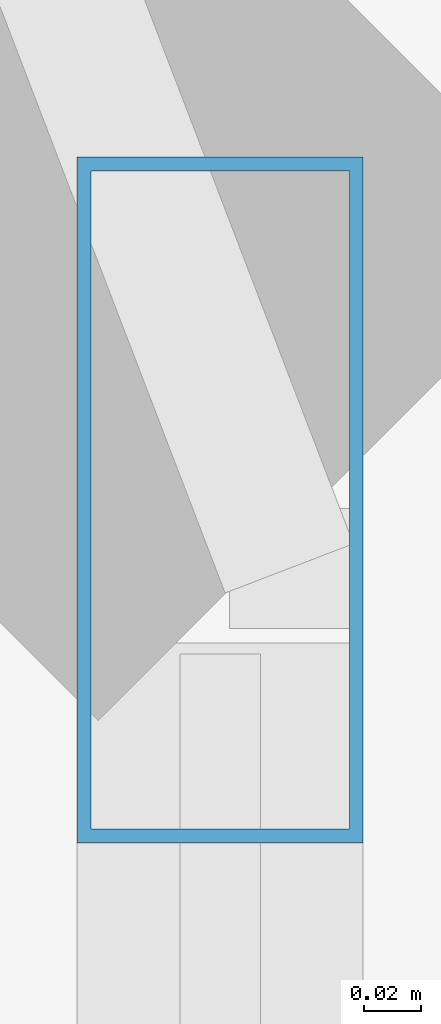
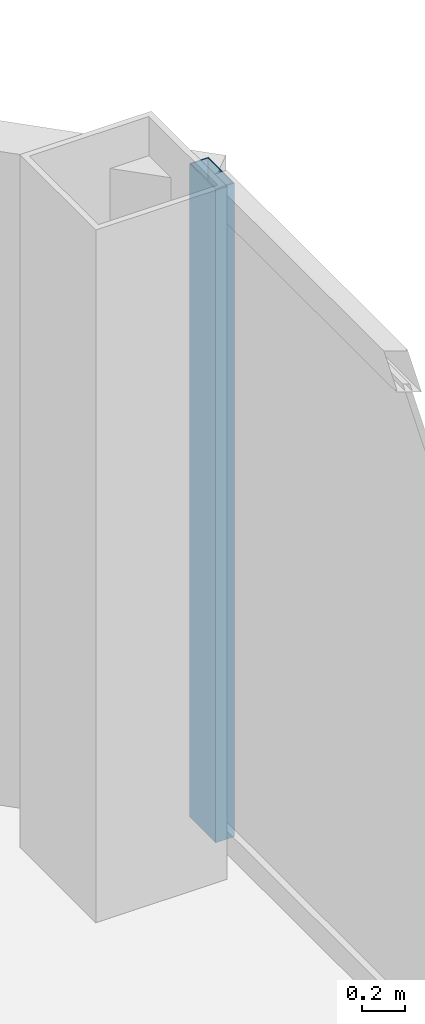
# One storey, part 17 of 29: 1 member, 1 element without a shape of its own.
"""IFC4 building model written with IfcOpenShell, lengths in metres."""

from ifc_helpers import new_model, si_unit, direction, frame, origin, origin_2d, place, context, subcontext, project, spatial, hollow_rectangle, extrude, material, layer, layer_set, material_profile, profile_set, type_object, element, aggregate, save


model = new_model("IFC4")

# Units and contexts
model_context = context("Model", 3, precision=1e-05, world=origin(), true_north=direction((0.0, 1.0)))
body_context = subcontext(model_context, "Body", "Model", "MODEL_VIEW")
ifc_project = project(units=[si_unit("LENGTHUNIT", "METRE"), si_unit("AREAUNIT", "SQUARE_METRE"), si_unit("VOLUMEUNIT", "CUBIC_METRE"), si_unit("PLANEANGLEUNIT", "RADIAN"), si_unit("MASSUNIT", "GRAM", prefix="KILO")], contexts=[model_context])

# Site, building, storey
site_placement = place(None, origin())
site = spatial("IfcSite", under=ifc_project, at=site_placement, CompositionType="ELEMENT")
building_placement = place(site_placement, origin())
building = spatial("IfcBuilding", under=site, at=building_placement, Name="Khorvyn Point Tower", CompositionType="ELEMENT")
storey_placement = place(building_placement, frame((0.0, 0.0, 140.699951171875)))
storey = spatial("IfcBuildingStorey", under=building, at=storey_placement, Name="L35", CompositionType="ELEMENT", Elevation=140.699951171875)

# Curtain wall, member
ifc_material_1 = material(Name="Anodised aluminium 6063-T6 and laminated Low-E glass", Category="aluminium")
ifc_layer = layer(ifc_material_1, 0.18994140625)
ifc_layer_set = layer_set([ifc_layer], Name="Stick-Built Acoustic Curtain Wall CW-SYS-03")
curtain_wall_type = type_object("IfcCurtainWallType", Name="Stick-Built Acoustic Curtain Wall CW-SYS-03", PredefinedType="NOTDEFINED", material=ifc_layer_set)
curtain_wall_placement = place(storey_placement, origin())
curtain_wall = element("IfcCurtainWall", 1, at=curtain_wall_placement, inside=storey, type_object=curtain_wall_type, Name="Curtain Wall", PredefinedType="NOTDEFINED")
ifc_material_2 = material(Name="Anodised aluminium 6063-T6", Category="aluminium")
ifc_material_profile = material_profile(ifc_material_2, hollow_rectangle(XDim=0.10009765625, YDim=0.239990234375, WallThickness=0.0048828125, at=origin_2d()))
ifc_profile_set = profile_set([ifc_material_profile], Name="Anodised aluminium 6063-T6 ALU-MUL-100x240")
member_type = type_object("IfcMemberType", Name="Anodised Aluminium 6063-T6 Mullion ALU-MUL-100x240", PredefinedType="MULLION", material=ifc_profile_set)
member_placement = place(storey_placement, frame((27.550048828125, 19.199951171875, 0.0), z_axis=(0.0, 0.0, 1.0), x_axis=(1.0, 0.0, 0.0)))
member = element("IfcMember", 2, at=member_placement, type_object=member_type, Name="Transom", PredefinedType="MULLION", context=body_context, shape_type="SweptSolid", body=[
    extrude(hollow_rectangle(XDim=0.10009765625, YDim=0.239990234375, WallThickness=0.0048828125, at=origin_2d()), origin(), (0.0, 0.0, 1.0), 3.679931640625),
])
aggregate(curtain_wall, [member])

save(model, "model.ifc")
